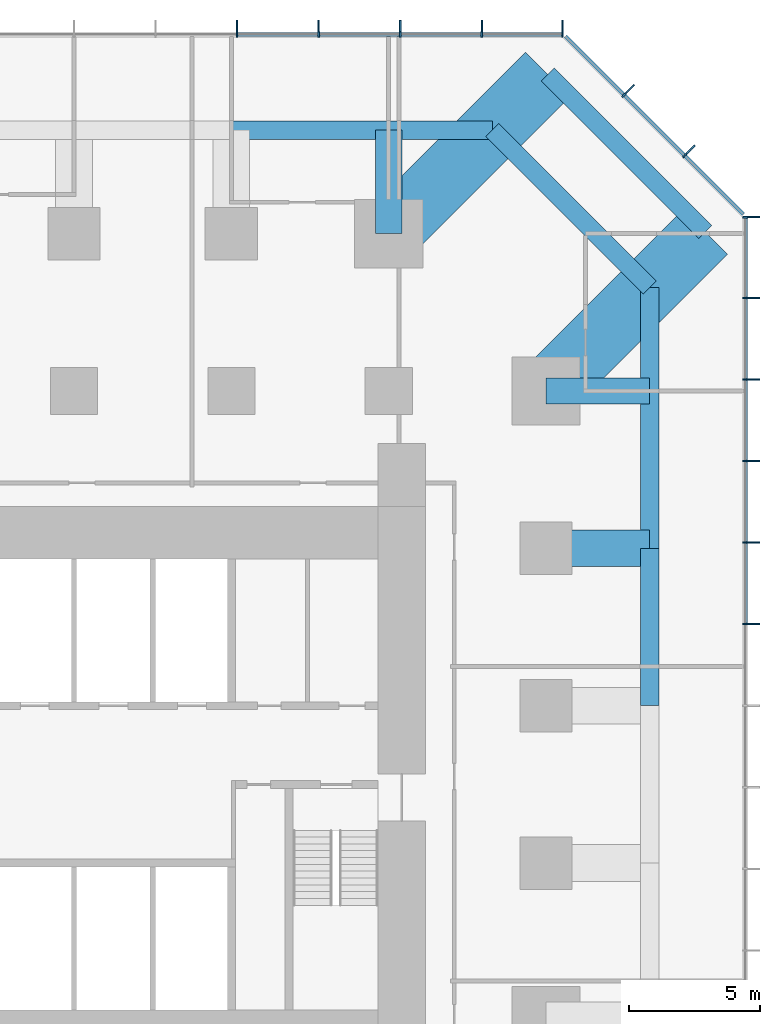
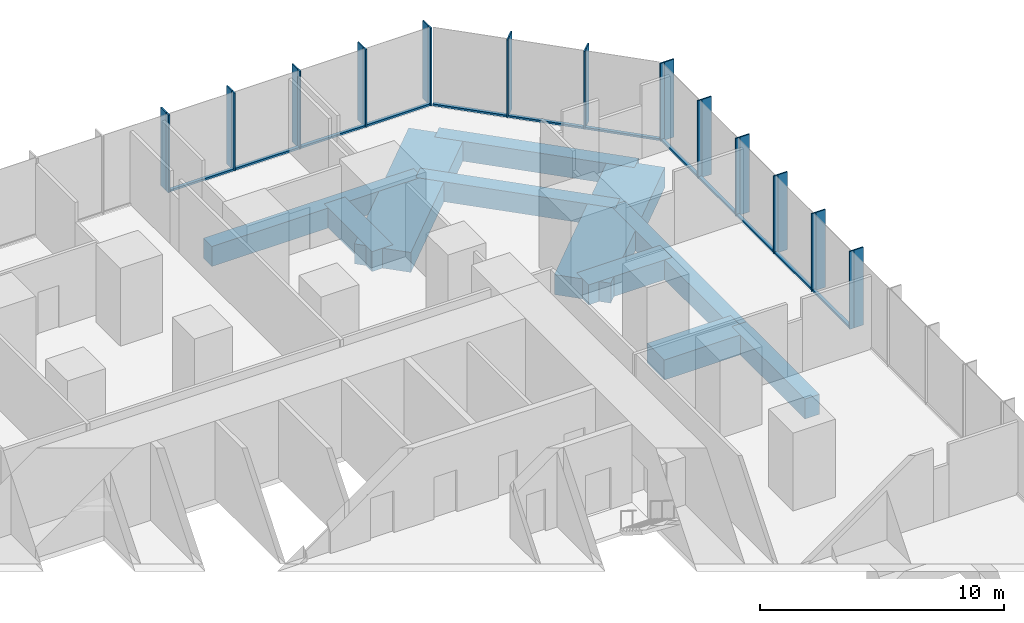
# One storey, part 6 of 12: 38 members, 10 beams, 3 elements without a shape of their own.
"""IFC4 building model written with IfcOpenShell, lengths in metres."""

from ifc_helpers import new_model, si_unit, direction, frame, origin, origin_2d, place, context, subcontext, project, spatial, rectangle, extrude, material, layer, layer_set, material_profile, profile_set, type_object, element, aggregate, save


model = new_model("IFC4")

# Units and contexts
model_context = context("Model", 3, precision=1e-05, world=origin(), true_north=direction((0.0, 1.0)))
body_context = subcontext(model_context, "Body", "Model", "MODEL_VIEW")
ifc_project = project(units=[si_unit("LENGTHUNIT", "METRE"), si_unit("AREAUNIT", "SQUARE_METRE"), si_unit("VOLUMEUNIT", "CUBIC_METRE"), si_unit("PLANEANGLEUNIT", "RADIAN"), si_unit("MASSUNIT", "GRAM", prefix="KILO")], contexts=[model_context])

# Site, building, storey
site_placement = place(None, origin())
site = spatial("IfcSite", under=ifc_project, at=site_placement, CompositionType="ELEMENT")
building_placement = place(site_placement, origin())
building = spatial("IfcBuilding", under=site, at=building_placement, Name="Highveld Stack Headquarters", CompositionType="ELEMENT")
storey_placement = place(building_placement, frame((0.0, 0.0, 65.0)))
storey = spatial("IfcBuildingStorey", under=building, at=storey_placement, Name="L15", CompositionType="ELEMENT", Elevation=65.0)

# Beams
ifc_material_1 = material(Name="Concrete C60/75", Category="concrete")
ifc_material_profile_1 = material_profile(ifc_material_1, rectangle(XDim=1.0, YDim=1.0, at=origin_2d()), Name="RC 1000x1000")
ifc_profile_set_1 = profile_set([ifc_material_profile_1], Name="Concrete C60/75")
beam_type_1 = type_object("IfcBeamType", Name="CANTILEVER RIB RC 1000x1000", PredefinedType="USERDEFINED", material=ifc_profile_set_1)
for number, where, z_axis, x_axis, name in (
    (1, (18.0, 24.0, -0.75), (0.0, 1.0, 0.0), (-1.0, 0.0, 0.0), "Cantilever rib 9/J L15"),
    (2, (24.0, 18.0, -0.75), (1.0, 0.0, 0.0), (0.0, 1.0, 0.0), "Cantilever rib 10/H L15"),
):
    element("IfcBeam", number, at=place(storey_placement, frame(where, z_axis=z_axis, x_axis=x_axis)), inside=storey, type_object=beam_type_1, Name=name, ObjectType="CANTILEVER RIB", PredefinedType="USERDEFINED", context=body_context, shape_type="SweptSolid", body=[
        extrude(rectangle(XDim=1.0, YDim=1.0, at=origin_2d()), origin(), (0.0, 0.0, 1.0), 3.949951171875),
    ])
ifc_material_2 = material(Name="Concrete C60/75", Category="concrete")
ifc_material_profile_2 = material_profile(ifc_material_2, rectangle(XDim=1.39990234375, YDim=1.0, at=origin_2d()), Name="RC 1400x1000")
ifc_profile_set_2 = profile_set([ifc_material_profile_2], Name="Concrete C60/75")
beam_type_2 = type_object("IfcBeamType", Name="CANTILEVER RIB RC 1400x1000", PredefinedType="USERDEFINED", material=ifc_profile_set_2)
beam_1_placement = place(storey_placement, frame((24.0, 12.0, -0.75), z_axis=(1.0, 0.0, 0.0), x_axis=(0.0, 1.0, 0.0)))
element("IfcBeam", 3, at=beam_1_placement, inside=storey, type_object=beam_type_2, Name="Cantilever rib 10/G L15", ObjectType="CANTILEVER RIB", PredefinedType="USERDEFINED", context=body_context, shape_type="SweptSolid", body=[
    extrude(rectangle(XDim=1.39990234375, YDim=1.0, at=origin_2d()), origin(), (0.0, 0.0, 1.0), 3.949951171875),
])
ifc_material_3 = material(Name="Concrete C60/75", Category="concrete")
ifc_material_profile_3 = material_profile(ifc_material_3, rectangle(XDim=2.39990234375, YDim=1.0, at=origin_2d()), Name="RC 2400x1000")
ifc_profile_set_3 = profile_set([ifc_material_profile_3], Name="Concrete C60/75")
beam_type_3 = type_object("IfcBeamType", Name="CANTILEVER RIB RC 2400x1000", PredefinedType="USERDEFINED", material=ifc_profile_set_3)
for number, where, z_axis, x_axis, name in (
    (4, (18.0, 24.0, -0.75), (0.707106781187, 0.707106781187, 0.0), (-0.707106781187, 0.707106781187, 0.0), "Cantilever rib 9/J L15"),
    (5, (24.0, 18.0, -0.75), (0.707106781187, 0.707106781187, 0.0), (-0.707106781187, 0.707106781187, 0.0), "Cantilever rib 10/H L15"),
):
    element("IfcBeam", number, at=place(storey_placement, frame(where, z_axis=z_axis, x_axis=x_axis)), inside=storey, type_object=beam_type_3, Name=name, ObjectType="CANTILEVER RIB", PredefinedType="USERDEFINED", context=body_context, shape_type="SweptSolid", body=[
        extrude(rectangle(XDim=2.39990234375, YDim=1.0, at=origin_2d()), origin(), (0.0, 0.0, 1.0), 8.585693359375),
    ])

# Curtain wall, members
ifc_material_4 = material(Name="Aluminium bronze anodised", Category="aluminium")
ifc_layer_1 = layer(ifc_material_4, 0.199951171875)
ifc_layer_set_1 = layer_set([ifc_layer_1], Name="Aluminium bronze anodised")
curtain_wall_type_1 = type_object("IfcCurtainWallType", Name="CW1 TOWER UNITISED CURTAIN WALL", PredefinedType="NOTDEFINED", material=ifc_layer_set_1)
curtain_wall_1_placement = place(storey_placement, origin())
curtain_wall_1 = element("IfcCurtainWall", 6, at=curtain_wall_1_placement, inside=storey, type_object=curtain_wall_type_1, Name="Curtain wall CW1 L15 E", PredefinedType="NOTDEFINED")
ifc_material_5 = material(Name="Aluminium bronze anodised", Category="aluminium")
ifc_material_profile_4 = material_profile(ifc_material_5, rectangle(XDim=0.449951171875, YDim=0.06005859375, at=origin_2d()), Name="FIN 450x60")
ifc_profile_set_4 = profile_set([ifc_material_profile_4], Name="Aluminium bronze anodised")
member_type_1 = type_object("IfcMemberType", Name="CW1 BRONZE FIN 450x60", PredefinedType="USERDEFINED", material=ifc_profile_set_4)
member_1_placement = place(storey_placement, frame((31.925048828125, 9.110595703125, 0.0), z_axis=(0.0, 0.0, 1.0), x_axis=(-1.0, 0.0, 0.0)))
member_1 = element("IfcMember", 7, at=member_1_placement, type_object=member_type_1, Name="CW1 fin L15 8", ObjectType="FIN", PredefinedType="USERDEFINED", context=body_context, shape_type="SweptSolid", body=[
    extrude(rectangle(XDim=0.449951171875, YDim=0.06005859375, at=origin_2d()), origin(), (0.0, 0.0, 1.0), 3.89990234375),
])
member_2_placement = place(storey_placement, frame((31.925048828125, 12.220947265625, 0.0), z_axis=(0.0, 0.0, 1.0), x_axis=(-1.0, 0.0, 0.0)))
member_2 = element("IfcMember", 8, at=member_2_placement, type_object=member_type_1, Name="CW1 fin L15 9", ObjectType="FIN", PredefinedType="USERDEFINED", context=body_context, shape_type="SweptSolid", body=[
    extrude(rectangle(XDim=0.449951171875, YDim=0.06005859375, at=origin_2d()), origin(), (0.0, 0.0, 1.0), 3.89990234375),
])
member_3_placement = place(storey_placement, frame((31.925048828125, 15.331298828125, 0.0), z_axis=(0.0, 0.0, 1.0), x_axis=(-1.0, 0.0, 0.0)))
member_3 = element("IfcMember", 9, at=member_3_placement, type_object=member_type_1, Name="CW1 fin L15 10", ObjectType="FIN", PredefinedType="USERDEFINED", context=body_context, shape_type="SweptSolid", body=[
    extrude(rectangle(XDim=0.449951171875, YDim=0.06005859375, at=origin_2d()), origin(), (0.0, 0.0, 1.0), 3.89990234375),
])
member_4_placement = place(storey_placement, frame((31.925048828125, 18.44189453125, 0.0), z_axis=(0.0, 0.0, 1.0), x_axis=(-1.0, 0.0, 0.0)))
member_4 = element("IfcMember", 10, at=member_4_placement, type_object=member_type_1, Name="CW1 fin L15 11", ObjectType="FIN", PredefinedType="USERDEFINED", context=body_context, shape_type="SweptSolid", body=[
    extrude(rectangle(XDim=0.449951171875, YDim=0.06005859375, at=origin_2d()), origin(), (0.0, 0.0, 1.0), 3.89990234375),
])
member_5_placement = place(storey_placement, frame((31.925048828125, 21.55224609375, 0.0), z_axis=(0.0, 0.0, 1.0), x_axis=(-1.0, 0.0, 0.0)))
member_5 = element("IfcMember", 11, at=member_5_placement, type_object=member_type_1, Name="CW1 fin L15 12", ObjectType="FIN", PredefinedType="USERDEFINED", context=body_context, shape_type="SweptSolid", body=[
    extrude(rectangle(XDim=0.449951171875, YDim=0.06005859375, at=origin_2d()), origin(), (0.0, 0.0, 1.0), 3.89990234375),
])
member_6_placement = place(storey_placement, frame((31.925048828125, 24.630126953125, 0.0), z_axis=(0.0, 0.0, 1.0), x_axis=(-1.0, 0.0, 0.0)))
member_6 = element("IfcMember", 12, at=member_6_placement, type_object=member_type_1, Name="CW1 fin L15 13", ObjectType="FIN", PredefinedType="USERDEFINED", context=body_context, shape_type="SweptSolid", body=[
    extrude(rectangle(XDim=0.449951171875, YDim=0.06005859375, at=origin_2d()), origin(), (0.0, 0.0, 1.0), 3.89990234375),
])

curtain_wall_2_placement = place(storey_placement, origin())
curtain_wall_2 = element("IfcCurtainWall", 13, at=curtain_wall_2_placement, inside=storey, type_object=curtain_wall_type_1, Name="Curtain wall CW1 L15 N", PredefinedType="NOTDEFINED")
member_7_placement = place(storey_placement, frame((24.630126953125, 31.925048828125, 0.0), z_axis=(0.0, 0.0, 1.0), x_axis=(0.0, -1.0, 0.0)))
member_7 = element("IfcMember", 14, at=member_7_placement, type_object=member_type_1, Name="CW1 fin L15 1", ObjectType="FIN", PredefinedType="USERDEFINED", context=body_context, shape_type="SweptSolid", body=[
    extrude(rectangle(XDim=0.449951171875, YDim=0.06005859375, at=origin_2d()), origin(), (0.0, 0.0, 1.0), 3.89990234375),
])
member_8_placement = place(storey_placement, frame((21.55224609375, 31.925048828125, 0.0), z_axis=(0.0, 0.0, 1.0), x_axis=(0.0, -1.0, 0.0)))
member_8 = element("IfcMember", 15, at=member_8_placement, type_object=member_type_1, Name="CW1 fin L15 2", ObjectType="FIN", PredefinedType="USERDEFINED", context=body_context, shape_type="SweptSolid", body=[
    extrude(rectangle(XDim=0.449951171875, YDim=0.06005859375, at=origin_2d()), origin(), (0.0, 0.0, 1.0), 3.89990234375),
])
member_9_placement = place(storey_placement, frame((18.44189453125, 31.925048828125, 0.0), z_axis=(0.0, 0.0, 1.0), x_axis=(0.0, -1.0, 0.0)))
member_9 = element("IfcMember", 16, at=member_9_placement, type_object=member_type_1, Name="CW1 fin L15 3", ObjectType="FIN", PredefinedType="USERDEFINED", context=body_context, shape_type="SweptSolid", body=[
    extrude(rectangle(XDim=0.449951171875, YDim=0.06005859375, at=origin_2d()), origin(), (0.0, 0.0, 1.0), 3.89990234375),
])
member_10_placement = place(storey_placement, frame((15.331298828125, 31.925048828125, 0.0), z_axis=(0.0, 0.0, 1.0), x_axis=(0.0, -1.0, 0.0)))
member_10 = element("IfcMember", 17, at=member_10_placement, type_object=member_type_1, Name="CW1 fin L15 4", ObjectType="FIN", PredefinedType="USERDEFINED", context=body_context, shape_type="SweptSolid", body=[
    extrude(rectangle(XDim=0.449951171875, YDim=0.06005859375, at=origin_2d()), origin(), (0.0, 0.0, 1.0), 3.89990234375),
])
member_11_placement = place(storey_placement, frame((12.220947265625, 31.925048828125, 0.0), z_axis=(0.0, 0.0, 1.0), x_axis=(0.0, -1.0, 0.0)))
member_11 = element("IfcMember", 18, at=member_11_placement, type_object=member_type_1, Name="CW1 fin L15 5", ObjectType="FIN", PredefinedType="USERDEFINED", context=body_context, shape_type="SweptSolid", body=[
    extrude(rectangle(XDim=0.449951171875, YDim=0.06005859375, at=origin_2d()), origin(), (0.0, 0.0, 1.0), 3.89990234375),
])

# Member
ifc_material_6 = material(Name="Aluminium bronze anodised", Category="aluminium")
ifc_material_profile_5 = material_profile(ifc_material_6, rectangle(XDim=0.199951171875, YDim=0.06494140625, at=origin_2d()), Name="CW1 MULLION 65x200")
ifc_profile_set_5 = profile_set([ifc_material_profile_5], Name="Aluminium bronze anodised")
member_type_2 = type_object("IfcMemberType", Name="CW1 MULLION 65x200", PredefinedType="MULLION", material=ifc_profile_set_5)
member_12_placement = place(storey_placement, frame((31.60009765625, 9.110595703125, 0.0), z_axis=(0.0, 0.0, 1.0), x_axis=(-1.0, 0.0, 0.0)))
member_12 = element("IfcMember", 19, at=member_12_placement, type_object=member_type_2, Name="CW1 mullion L15 8", PredefinedType="MULLION", context=body_context, shape_type="SweptSolid", body=[
    extrude(rectangle(XDim=0.199951171875, YDim=0.06494140625, at=origin_2d()), origin(), (0.0, 0.0, 1.0), 3.89990234375),
])

member_13_placement = place(storey_placement, frame((31.60009765625, 12.220947265625, 0.0), z_axis=(0.0, 0.0, 1.0), x_axis=(-1.0, 0.0, 0.0)))
member_13 = element("IfcMember", 20, at=member_13_placement, type_object=member_type_2, Name="CW1 mullion L15 9", PredefinedType="MULLION", context=body_context, shape_type="SweptSolid", body=[
    extrude(rectangle(XDim=0.199951171875, YDim=0.06494140625, at=origin_2d()), origin(), (0.0, 0.0, 1.0), 3.89990234375),
])

member_14_placement = place(storey_placement, frame((31.60009765625, 15.331298828125, 0.0), z_axis=(0.0, 0.0, 1.0), x_axis=(-1.0, 0.0, 0.0)))
member_14 = element("IfcMember", 21, at=member_14_placement, type_object=member_type_2, Name="CW1 mullion L15 10", PredefinedType="MULLION", context=body_context, shape_type="SweptSolid", body=[
    extrude(rectangle(XDim=0.199951171875, YDim=0.06494140625, at=origin_2d()), origin(), (0.0, 0.0, 1.0), 3.89990234375),
])

member_15_placement = place(storey_placement, frame((31.60009765625, 18.44189453125, 0.0), z_axis=(0.0, 0.0, 1.0), x_axis=(-1.0, 0.0, 0.0)))
member_15 = element("IfcMember", 22, at=member_15_placement, type_object=member_type_2, Name="CW1 mullion L15 11", PredefinedType="MULLION", context=body_context, shape_type="SweptSolid", body=[
    extrude(rectangle(XDim=0.199951171875, YDim=0.06494140625, at=origin_2d()), origin(), (0.0, 0.0, 1.0), 3.89990234375),
])

member_16_placement = place(storey_placement, frame((31.60009765625, 21.55224609375, 0.0), z_axis=(0.0, 0.0, 1.0), x_axis=(-1.0, 0.0, 0.0)))
member_16 = element("IfcMember", 23, at=member_16_placement, type_object=member_type_2, Name="CW1 mullion L15 12", PredefinedType="MULLION", context=body_context, shape_type="SweptSolid", body=[
    extrude(rectangle(XDim=0.199951171875, YDim=0.06494140625, at=origin_2d()), origin(), (0.0, 0.0, 1.0), 3.89990234375),
])

member_17_placement = place(storey_placement, frame((31.60009765625, 24.630126953125, 0.0), z_axis=(0.0, 0.0, 1.0), x_axis=(-1.0, 0.0, 0.0)))
member_17 = element("IfcMember", 24, at=member_17_placement, type_object=member_type_2, Name="CW1 mullion L15 13", PredefinedType="MULLION", context=body_context, shape_type="SweptSolid", body=[
    extrude(rectangle(XDim=0.199951171875, YDim=0.06494140625, at=origin_2d()), origin(), (0.0, 0.0, 1.0), 3.89990234375),
])

member_18_placement = place(storey_placement, frame((24.630126953125, 31.60009765625, 0.0), z_axis=(0.0, 0.0, 1.0), x_axis=(0.0, -1.0, 0.0)))
member_18 = element("IfcMember", 25, at=member_18_placement, type_object=member_type_2, Name="CW1 mullion L15 1", PredefinedType="MULLION", context=body_context, shape_type="SweptSolid", body=[
    extrude(rectangle(XDim=0.199951171875, YDim=0.06494140625, at=origin_2d()), origin(), (0.0, 0.0, 1.0), 3.89990234375),
])

member_19_placement = place(storey_placement, frame((21.55224609375, 31.60009765625, 0.0), z_axis=(0.0, 0.0, 1.0), x_axis=(0.0, -1.0, 0.0)))
member_19 = element("IfcMember", 26, at=member_19_placement, type_object=member_type_2, Name="CW1 mullion L15 2", PredefinedType="MULLION", context=body_context, shape_type="SweptSolid", body=[
    extrude(rectangle(XDim=0.199951171875, YDim=0.06494140625, at=origin_2d()), origin(), (0.0, 0.0, 1.0), 3.89990234375),
])

member_20_placement = place(storey_placement, frame((18.44189453125, 31.60009765625, 0.0), z_axis=(0.0, 0.0, 1.0), x_axis=(0.0, -1.0, 0.0)))
member_20 = element("IfcMember", 27, at=member_20_placement, type_object=member_type_2, Name="CW1 mullion L15 3", PredefinedType="MULLION", context=body_context, shape_type="SweptSolid", body=[
    extrude(rectangle(XDim=0.199951171875, YDim=0.06494140625, at=origin_2d()), origin(), (0.0, 0.0, 1.0), 3.89990234375),
])

member_21_placement = place(storey_placement, frame((15.331298828125, 31.60009765625, 0.0), z_axis=(0.0, 0.0, 1.0), x_axis=(0.0, -1.0, 0.0)))
member_21 = element("IfcMember", 28, at=member_21_placement, type_object=member_type_2, Name="CW1 mullion L15 4", PredefinedType="MULLION", context=body_context, shape_type="SweptSolid", body=[
    extrude(rectangle(XDim=0.199951171875, YDim=0.06494140625, at=origin_2d()), origin(), (0.0, 0.0, 1.0), 3.89990234375),
])

member_22_placement = place(storey_placement, frame((12.220947265625, 31.60009765625, 0.0), z_axis=(0.0, 0.0, 1.0), x_axis=(0.0, -1.0, 0.0)))
member_22 = element("IfcMember", 29, at=member_22_placement, type_object=member_type_2, Name="CW1 mullion L15 5", PredefinedType="MULLION", context=body_context, shape_type="SweptSolid", body=[
    extrude(rectangle(XDim=0.199951171875, YDim=0.06494140625, at=origin_2d()), origin(), (0.0, 0.0, 1.0), 3.89990234375),
])

ifc_material_7 = material(Name="Aluminium bronze anodised", Category="aluminium")
ifc_material_profile_6 = material_profile(ifc_material_7, rectangle(XDim=0.14990234375, YDim=0.10009765625, at=origin_2d()), Name="CW1 TRANSOM 150x100")
ifc_profile_set_6 = profile_set([ifc_material_profile_6], Name="Aluminium bronze anodised")
member_type_3 = type_object("IfcMemberType", Name="CW1 STACK TRANSOM 150x100", PredefinedType="USERDEFINED", material=ifc_profile_set_6)
member_23_placement = place(storey_placement, frame((31.60009765625, 9.14306640625, 0.050048828125), z_axis=(0.0, 1.0, 0.0), x_axis=(-1.0, 0.0, 0.0)))
member_23 = element("IfcMember", 30, at=member_23_placement, type_object=member_type_3, Name="CW1 transom L15 8.1", ObjectType="TRANSOM", PredefinedType="USERDEFINED", context=body_context, shape_type="SweptSolid", body=[
    extrude(rectangle(XDim=0.14990234375, YDim=0.10009765625, at=origin_2d()), origin(), (0.0, 0.0, 1.0), 3.04541015625),
])

member_24_placement = place(storey_placement, frame((31.60009765625, 12.25341796875, 0.050048828125), z_axis=(0.0, 1.0, 0.0), x_axis=(-1.0, 0.0, 0.0)))
member_24 = element("IfcMember", 31, at=member_24_placement, type_object=member_type_3, Name="CW1 transom L15 9.1", ObjectType="TRANSOM", PredefinedType="USERDEFINED", context=body_context, shape_type="SweptSolid", body=[
    extrude(rectangle(XDim=0.14990234375, YDim=0.10009765625, at=origin_2d()), origin(), (0.0, 0.0, 1.0), 3.04541015625),
])

member_25_placement = place(storey_placement, frame((31.60009765625, 15.364013671875, 0.050048828125), z_axis=(0.0, 1.0, 0.0), x_axis=(-1.0, 0.0, 0.0)))
member_25 = element("IfcMember", 32, at=member_25_placement, type_object=member_type_3, Name="CW1 transom L15 10.1", ObjectType="TRANSOM", PredefinedType="USERDEFINED", context=body_context, shape_type="SweptSolid", body=[
    extrude(rectangle(XDim=0.14990234375, YDim=0.10009765625, at=origin_2d()), origin(), (0.0, 0.0, 1.0), 3.045166015625),
])

member_26_placement = place(storey_placement, frame((31.60009765625, 18.474365234375, 0.050048828125), z_axis=(0.0, 1.0, 0.0), x_axis=(-1.0, 0.0, 0.0)))
member_26 = element("IfcMember", 33, at=member_26_placement, type_object=member_type_3, Name="CW1 transom L15 11.1", ObjectType="TRANSOM", PredefinedType="USERDEFINED", context=body_context, shape_type="SweptSolid", body=[
    extrude(rectangle(XDim=0.14990234375, YDim=0.10009765625, at=origin_2d()), origin(), (0.0, 0.0, 1.0), 3.04541015625),
])

member_27_placement = place(storey_placement, frame((31.60009765625, 21.584716796875, 0.050048828125), z_axis=(0.0, 1.0, 0.0), x_axis=(-1.0, 0.0, 0.0)))
member_27 = element("IfcMember", 34, at=member_27_placement, type_object=member_type_3, Name="CW1 transom L15 12.1", ObjectType="TRANSOM", PredefinedType="USERDEFINED", context=body_context, shape_type="SweptSolid", body=[
    extrude(rectangle(XDim=0.14990234375, YDim=0.10009765625, at=origin_2d()), origin(), (0.0, 0.0, 1.0), 3.012939453125),
])

aggregate(curtain_wall_1, [member_12, member_1, member_13, member_2, member_14, member_3, member_15, member_4, member_16, member_5, member_17, member_6, member_23, member_24, member_25, member_26, member_27])

member_28_placement = place(storey_placement, frame((24.59765625, 31.60009765625, 0.050048828125), z_axis=(-1.0, 0.0, 0.0), x_axis=(0.0, -1.0, 0.0)))
member_28 = element("IfcMember", 35, at=member_28_placement, type_object=member_type_3, Name="CW1 transom L15 1.1", ObjectType="TRANSOM", PredefinedType="USERDEFINED", context=body_context, shape_type="SweptSolid", body=[
    extrude(rectangle(XDim=0.14990234375, YDim=0.10009765625, at=origin_2d()), origin(), (0.0, 0.0, 1.0), 3.012939453125),
])

member_29_placement = place(storey_placement, frame((21.519775390625, 31.60009765625, 0.050048828125), z_axis=(-1.0, 0.0, 0.0), x_axis=(0.0, -1.0, 0.0)))
member_29 = element("IfcMember", 36, at=member_29_placement, type_object=member_type_3, Name="CW1 transom L15 2.1", ObjectType="TRANSOM", PredefinedType="USERDEFINED", context=body_context, shape_type="SweptSolid", body=[
    extrude(rectangle(XDim=0.14990234375, YDim=0.10009765625, at=origin_2d()), origin(), (0.0, 0.0, 1.0), 3.04541015625),
])

member_30_placement = place(storey_placement, frame((18.4091796875, 31.60009765625, 0.050048828125), z_axis=(-1.0, 0.0, 0.0), x_axis=(0.0, -1.0, 0.0)))
member_30 = element("IfcMember", 37, at=member_30_placement, type_object=member_type_3, Name="CW1 transom L15 3.1", ObjectType="TRANSOM", PredefinedType="USERDEFINED", context=body_context, shape_type="SweptSolid", body=[
    extrude(rectangle(XDim=0.14990234375, YDim=0.10009765625, at=origin_2d()), origin(), (0.0, 0.0, 1.0), 3.045166015625),
])

member_31_placement = place(storey_placement, frame((15.298828125, 31.60009765625, 0.050048828125), z_axis=(-1.0, 0.0, 0.0), x_axis=(0.0, -1.0, 0.0)))
member_31 = element("IfcMember", 38, at=member_31_placement, type_object=member_type_3, Name="CW1 transom L15 4.1", ObjectType="TRANSOM", PredefinedType="USERDEFINED", context=body_context, shape_type="SweptSolid", body=[
    extrude(rectangle(XDim=0.14990234375, YDim=0.10009765625, at=origin_2d()), origin(), (0.0, 0.0, 1.0), 3.04541015625),
])

aggregate(curtain_wall_2, [member_18, member_7, member_19, member_8, member_20, member_9, member_21, member_10, member_22, member_11, member_28, member_29, member_30, member_31])

# Curtain wall, members
ifc_material_8 = material(Name="Aluminium bronze anodised", Category="aluminium")
ifc_layer_2 = layer(ifc_material_8, 0.199951171875)
ifc_layer_set_2 = layer_set([ifc_layer_2], Name="Aluminium bronze anodised")
curtain_wall_type_2 = type_object("IfcCurtainWallType", Name="CW2 TOWER CHAMFER UNITISED CURTAIN WALL", PredefinedType="NOTDEFINED", material=ifc_layer_set_2)
curtain_wall_3_placement = place(storey_placement, origin())
curtain_wall_3 = element("IfcCurtainWall", 39, at=curtain_wall_3_placement, inside=storey, type_object=curtain_wall_type_2, Name="Curtain wall CW2 L15 NE", PredefinedType="NOTDEFINED")
ifc_material_9 = material(Name="Aluminium bronze anodised", Category="aluminium")
ifc_material_profile_7 = material_profile(ifc_material_9, rectangle(XDim=0.449951171875, YDim=0.06005859375, at=origin_2d()), Name="FIN 450x60")
ifc_profile_set_7 = profile_set([ifc_material_profile_7], Name="Aluminium bronze anodised")
member_type_4 = type_object("IfcMemberType", Name="CW2 BRONZE FIN 450x60", PredefinedType="USERDEFINED", material=ifc_profile_set_7)
member_32_placement = place(storey_placement, frame((29.517333984375, 27.204833984375, 0.0), z_axis=(0.0, 0.0, 1.0), x_axis=(-0.707106781187, -0.707106781187, 0.0)))
member_32 = element("IfcMember", 40, at=member_32_placement, type_object=member_type_4, Name="CW2 fin L15 1", ObjectType="FIN", PredefinedType="USERDEFINED", context=body_context, shape_type="SweptSolid", body=[
    extrude(rectangle(XDim=0.449951171875, YDim=0.06005859375, at=origin_2d()), origin(), (0.0, 0.0, 1.0), 3.89990234375),
])
member_33_placement = place(storey_placement, frame((27.204833984375, 29.517333984375, 0.0), z_axis=(0.0, 0.0, 1.0), x_axis=(-0.707106781187, -0.707106781187, 0.0)))
member_33 = element("IfcMember", 41, at=member_33_placement, type_object=member_type_4, Name="CW2 fin L15 2", ObjectType="FIN", PredefinedType="USERDEFINED", context=body_context, shape_type="SweptSolid", body=[
    extrude(rectangle(XDim=0.449951171875, YDim=0.06005859375, at=origin_2d()), origin(), (0.0, 0.0, 1.0), 3.89990234375),
])
ifc_material_10 = material(Name="Aluminium bronze anodised", Category="aluminium")
ifc_material_profile_8 = material_profile(ifc_material_10, rectangle(XDim=0.199951171875, YDim=0.06494140625, at=origin_2d()), Name="CW2 MULLION 65x200")
ifc_profile_set_8 = profile_set([ifc_material_profile_8], Name="Aluminium bronze anodised")
member_type_5 = type_object("IfcMemberType", Name="CW2 MULLION 65x200", PredefinedType="MULLION", material=ifc_profile_set_8)
member_34_placement = place(storey_placement, frame((29.28759765625, 26.97509765625, 0.0), z_axis=(0.0, 0.0, 1.0), x_axis=(-0.707106781187, -0.707106781187, 0.0)))
member_34 = element("IfcMember", 42, at=member_34_placement, type_object=member_type_5, Name="CW2 mullion L15 1", PredefinedType="MULLION", context=body_context, shape_type="SweptSolid", body=[
    extrude(rectangle(XDim=0.199951171875, YDim=0.06494140625, at=origin_2d()), origin(), (0.0, 0.0, 1.0), 3.89990234375),
])
member_35_placement = place(storey_placement, frame((26.97509765625, 29.28759765625, 0.0), z_axis=(0.0, 0.0, 1.0), x_axis=(-0.707106781187, -0.707106781187, 0.0)))
member_35 = element("IfcMember", 43, at=member_35_placement, type_object=member_type_5, Name="CW2 mullion L15 2", PredefinedType="MULLION", context=body_context, shape_type="SweptSolid", body=[
    extrude(rectangle(XDim=0.199951171875, YDim=0.06494140625, at=origin_2d()), origin(), (0.0, 0.0, 1.0), 3.89990234375),
])
ifc_material_11 = material(Name="Aluminium bronze anodised", Category="aluminium")
ifc_material_profile_9 = material_profile(ifc_material_11, rectangle(XDim=0.14990234375, YDim=0.10009765625, at=origin_2d()), Name="CW2 TRANSOM 150x100")
ifc_profile_set_9 = profile_set([ifc_material_profile_9], Name="Aluminium bronze anodised")
member_type_6 = type_object("IfcMemberType", Name="CW2 STACK TRANSOM 150x100", PredefinedType="USERDEFINED", material=ifc_profile_set_9)
member_36_placement = place(storey_placement, frame((31.529296875, 24.7333984375, 0.050048828125), z_axis=(-0.707106781187, 0.707106781187, 0.0), x_axis=(-0.707106781187, -0.707106781187, 0.0)))
member_36 = element("IfcMember", 44, at=member_36_placement, type_object=member_type_6, Name="CW2 transom L15 1.1", ObjectType="TRANSOM", PredefinedType="USERDEFINED", context=body_context, shape_type="SweptSolid", body=[
    extrude(rectangle(XDim=0.14990234375, YDim=0.10009765625, at=origin_2d()), origin(), (0.0, 0.0, 1.0), 3.1376953125),
])
member_37_placement = place(storey_placement, frame((29.2646484375, 26.998046875, 0.050048828125), z_axis=(-0.707106781187, 0.707106781187, 0.0), x_axis=(-0.707106781187, -0.707106781187, 0.0)))
member_37 = element("IfcMember", 45, at=member_37_placement, type_object=member_type_6, Name="CW2 transom L15 2.1", ObjectType="TRANSOM", PredefinedType="USERDEFINED", context=body_context, shape_type="SweptSolid", body=[
    extrude(rectangle(XDim=0.14990234375, YDim=0.10009765625, at=origin_2d()), origin(), (0.0, 0.0, 1.0), 3.20556640625),
])
member_38_placement = place(storey_placement, frame((26.9521484375, 29.310546875, 0.050048828125), z_axis=(-0.707106781187, 0.707106781187, 0.0), x_axis=(-0.707106781187, -0.707106781187, 0.0)))
member_38 = element("IfcMember", 46, at=member_38_placement, type_object=member_type_6, Name="CW2 transom L15 3.1", ObjectType="TRANSOM", PredefinedType="USERDEFINED", context=body_context, shape_type="SweptSolid", body=[
    extrude(rectangle(XDim=0.14990234375, YDim=0.10009765625, at=origin_2d()), origin(), (0.0, 0.0, 1.0), 3.1376953125),
])
aggregate(curtain_wall_3, [member_34, member_32, member_35, member_33, member_36, member_37, member_38])

# Beams
ifc_material_12 = material(Name="Concrete C60/75", Category="concrete")
ifc_material_profile_10 = material_profile(ifc_material_12, rectangle(XDim=0.699951171875, YDim=1.0, at=origin_2d()), Name="RC 700x1000")
ifc_profile_set_10 = profile_set([ifc_material_profile_10], Name="Concrete C60/75")
beam_type_4 = type_object("IfcBeamType", Name="RIB TIP BEAM RC 700x1000", PredefinedType="SPANDREL", material=ifc_profile_set_10)
beam_2_placement = place(storey_placement, frame((27.949951171875, 6.0, -0.75), z_axis=(0.0, 1.0, 0.0), x_axis=(-1.0, 0.0, 0.0)))
element("IfcBeam", 47, at=beam_2_placement, inside=storey, type_object=beam_type_4, Name="Rib tip beam 10/F to 10/G L15", PredefinedType="SPANDREL", context=body_context, shape_type="SweptSolid", body=[
    extrude(rectangle(XDim=0.699951171875, YDim=1.0, at=origin_2d()), origin(), (0.0, 0.0, 1.0), 6.0),
])
for number, where, z_axis, x_axis, name in (
    (48, (27.949951171875, 12.0, -0.75), (0.0, 1.0, 0.0), (-1.0, 0.0, 0.0), "Rib tip beam 10/G to 10/H L15"),
    (49, (12.0, 27.949951171875, -0.75), (1.0, 0.0, 0.0), (0.0, 1.0, 0.0), "Rib tip beam 8/J to 9/J L15"),
):
    element("IfcBeam", number, at=place(storey_placement, frame(where, z_axis=z_axis, x_axis=x_axis)), inside=storey, type_object=beam_type_4, Name=name, PredefinedType="SPANDREL", context=body_context, shape_type="SweptSolid", body=[
        extrude(rectangle(XDim=0.699951171875, YDim=1.0, at=origin_2d()), origin(), (0.0, 0.0, 1.0), 9.949951171875),
    ])
for number, where, z_axis, x_axis, name in (
    (50, (21.949951171875, 27.949951171875, -0.75), (0.707106781187, -0.707106781187, 0.0), (0.707106781187, 0.707106781187, 0.0), "Rib tip beam 9/J to 10/H chamfer L15"),
    (51, (24.071044921875, 30.071044921875, -0.75), (0.707106781187, -0.707106781187, 0.0), (0.707106781187, 0.707106781187, 0.0), "Rib tip beam 9/J to 10/H chamfer edge L15"),
):
    element("IfcBeam", number, at=place(storey_placement, frame(where, z_axis=z_axis, x_axis=x_axis)), inside=storey, type_object=beam_type_4, Name=name, PredefinedType="SPANDREL", context=body_context, shape_type="SweptSolid", body=[
        extrude(rectangle(XDim=0.699951171875, YDim=1.0, at=origin_2d()), origin(), (0.0, 0.0, 1.0), 8.4853515625),
    ])

save(model, "model.ifc")
